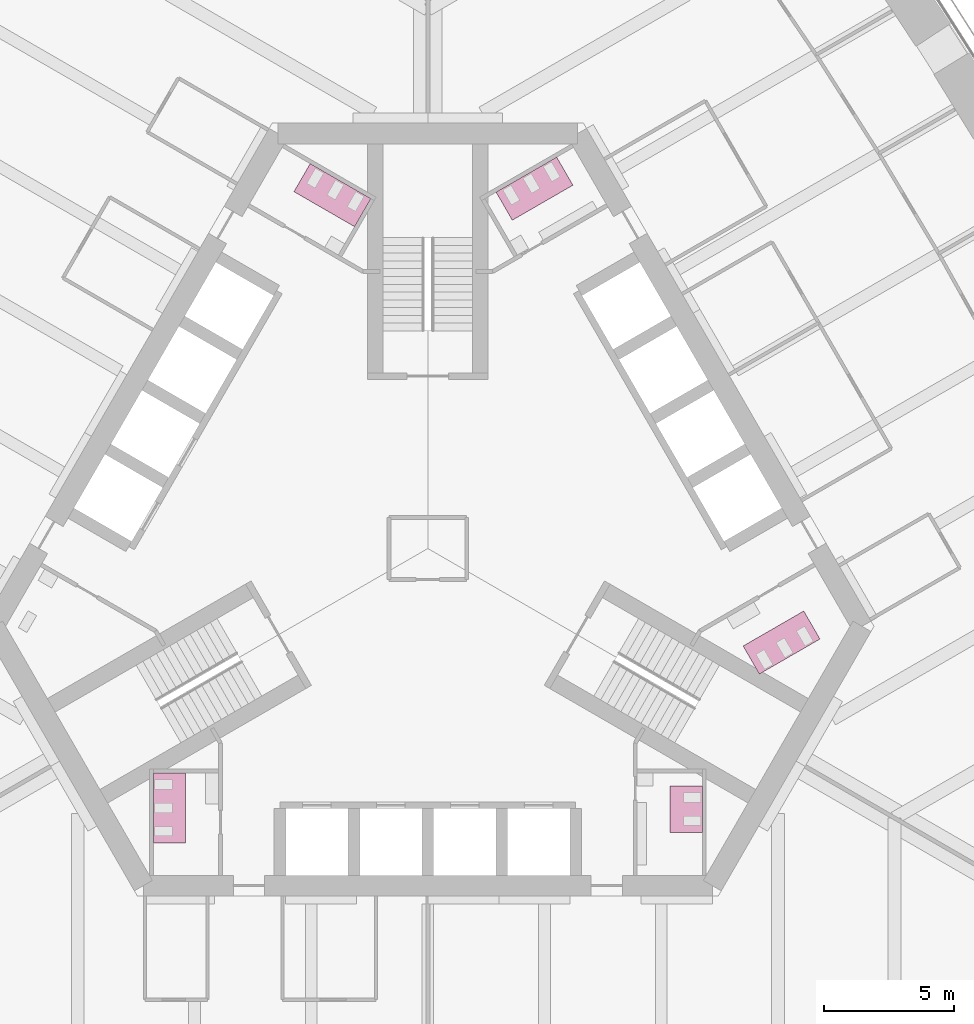
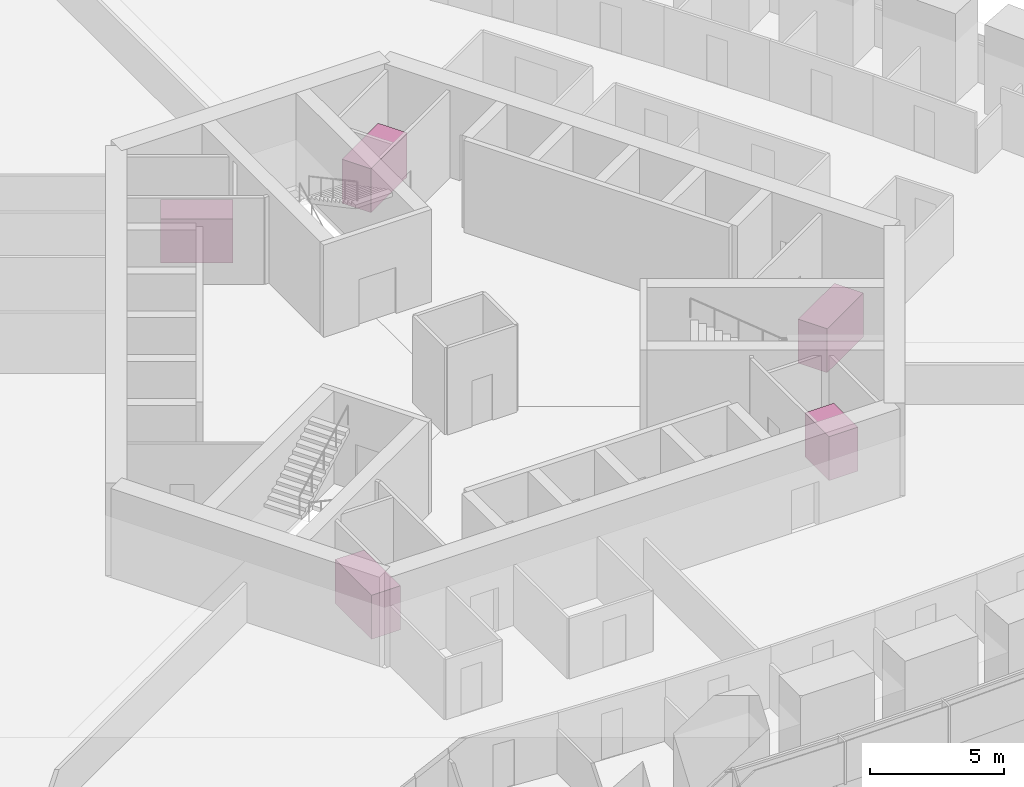
# One storey, part 18 of 18: 5 furniture elements.
"""IFC4 building model written with IfcOpenShell, lengths in metres."""

from ifc_helpers import new_model, si_unit, direction, frame, origin, place, context, subcontext, project, spatial, polyline, outline, extrude, material, type_object, element, save


model = new_model("IFC4")

# Units and contexts
model_context = context("Model", 3, precision=1e-05, world=origin(), true_north=direction((0.0, 1.0)))
body_context = subcontext(model_context, "Body", "Model", "MODEL_VIEW")
ifc_project = project(units=[si_unit("LENGTHUNIT", "METRE"), si_unit("AREAUNIT", "SQUARE_METRE"), si_unit("VOLUMEUNIT", "CUBIC_METRE"), si_unit("PLANEANGLEUNIT", "RADIAN"), si_unit("MASSUNIT", "GRAM", prefix="KILO")], contexts=[model_context])

# Site, building, storey
site_placement = place(None, origin())
site = spatial("IfcSite", under=ifc_project, at=site_placement, CompositionType="ELEMENT")
building_placement = place(site_placement, origin())
building = spatial("IfcBuilding", under=site, at=building_placement, Name="Trefoil Bronze Tower", CompositionType="ELEMENT")
storey_placement = place(building_placement, frame((0.0, 0.0, 87.89990234375)))
storey = spatial("IfcBuildingStorey", under=building, at=storey_placement, Name="L20", CompositionType="ELEMENT", Elevation=87.89990234375)

# Furniture
ifc_material_1 = material(Name="Compact laminate cubicles", Category="plastic")
furniture_type_1 = type_object("IfcFurnitureType", Name="WC cubicle range 2 cubicles", AssemblyPlace="FACTORY", PredefinedType="USERDEFINED", material=ifc_material_1)
furniture_1_placement = place(storey_placement, origin())
element("IfcFurniture", 1, at=furniture_1_placement, inside=storey, type_object=furniture_type_1, Name="WC cubicle range WC (men) L20", ObjectType="WC cubicle range", PredefinedType="USERDEFINED", context=body_context, shape_type="SweptSolid", body=[
    extrude(outline(polyline([(9.3349609375, -9.14990234375), (10.5849609375, -9.14990234375), (10.5849609375, -10.949951171875), (9.3349609375, -10.949951171875), (9.3349609375, -9.14990234375)])), origin(), (0.0, 0.0, 1.0), 2.0),
])
ifc_material_2 = material(Name="Compact laminate cubicles", Category="plastic")
furniture_type_2 = type_object("IfcFurnitureType", Name="WC cubicle range 3 cubicles", AssemblyPlace="FACTORY", PredefinedType="USERDEFINED", material=ifc_material_2)
furniture_2_placement = place(storey_placement, origin())
element("IfcFurniture", 2, at=furniture_2_placement, inside=storey, type_object=furniture_type_2, Name="WC cubicle range WC (women) L20", ObjectType="WC cubicle range", PredefinedType="USERDEFINED", context=body_context, shape_type="SweptSolid", body=[
    extrude(outline(polyline([(12.15869140625, -3.75927734375), (12.78369140625, -4.841796875), (15.121826171875, -3.491943359375), (14.496826171875, -2.409423828125), (12.15869140625, -3.75927734375)])), origin(), (0.0, 0.0, 1.0), 2.0),
])
furniture_3_placement = place(storey_placement, origin())
element("IfcFurniture", 3, at=furniture_3_placement, inside=storey, type_object=furniture_type_2, Name="WC cubicle range WC (men) L20", ObjectType="WC cubicle range", PredefinedType="USERDEFINED", context=body_context, shape_type="SweptSolid", body=[
    extrude(outline(polyline([(3.256591796875, 12.659423828125), (2.631591796875, 13.741943359375), (4.969970703125, 15.091796875), (5.594970703125, 14.00927734375), (3.256591796875, 12.659423828125)])), origin(), (0.0, 0.0, 1.0), 2.0),
])
furniture_4_placement = place(storey_placement, origin())
element("IfcFurniture", 4, at=furniture_4_placement, inside=storey, type_object=furniture_type_2, Name="WC cubicle range WC (women) L20", ObjectType="WC cubicle range", PredefinedType="USERDEFINED", context=body_context, shape_type="SweptSolid", body=[
    extrude(outline(polyline([(-2.82373046875, 12.409423828125), (-2.19873046875, 13.491943359375), (-4.536865234375, 14.841796875), (-5.161865234375, 13.75927734375), (-2.82373046875, 12.409423828125)])), origin(), (0.0, 0.0, 1.0), 2.0),
])
furniture_5_placement = place(storey_placement, origin())
element("IfcFurniture", 5, at=furniture_5_placement, inside=storey, type_object=furniture_type_2, Name="WC cubicle range WC (women) L20", ObjectType="WC cubicle range", PredefinedType="USERDEFINED", context=body_context, shape_type="SweptSolid", body=[
    extrude(outline(polyline([(-9.3349609375, -8.64990234375), (-10.5849609375, -8.64990234375), (-10.5849609375, -11.35009765625), (-9.3349609375, -11.35009765625), (-9.3349609375, -8.64990234375)])), origin(), (0.0, 0.0, 1.0), 2.0),
])

save(model, "model.ifc")
